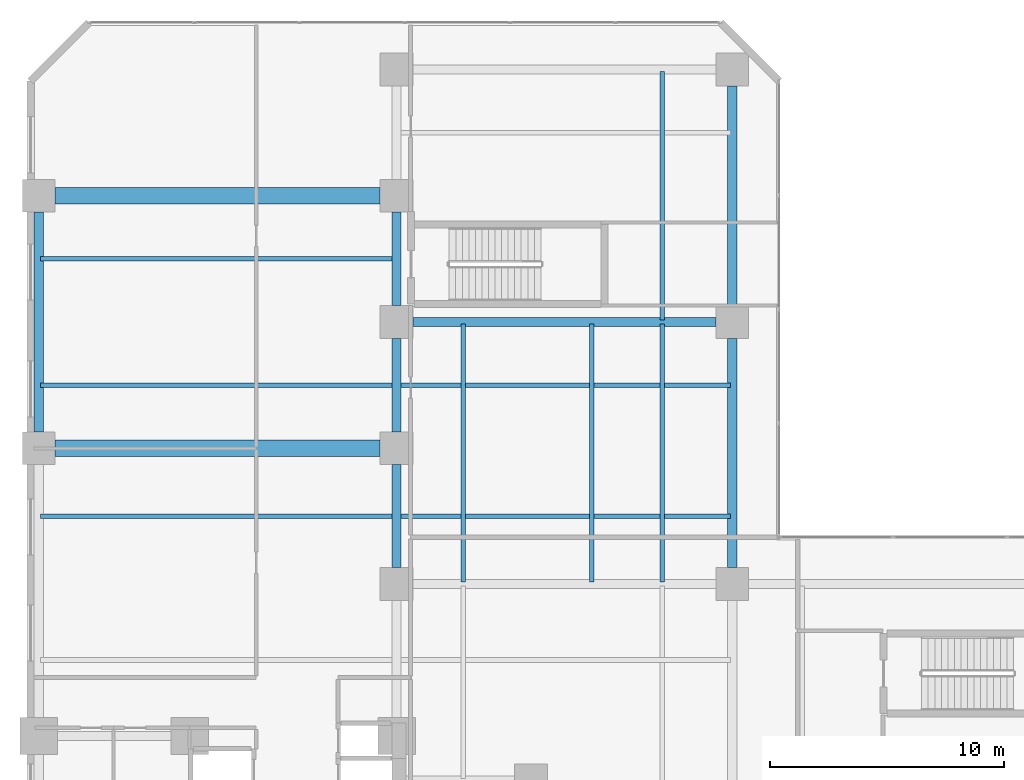
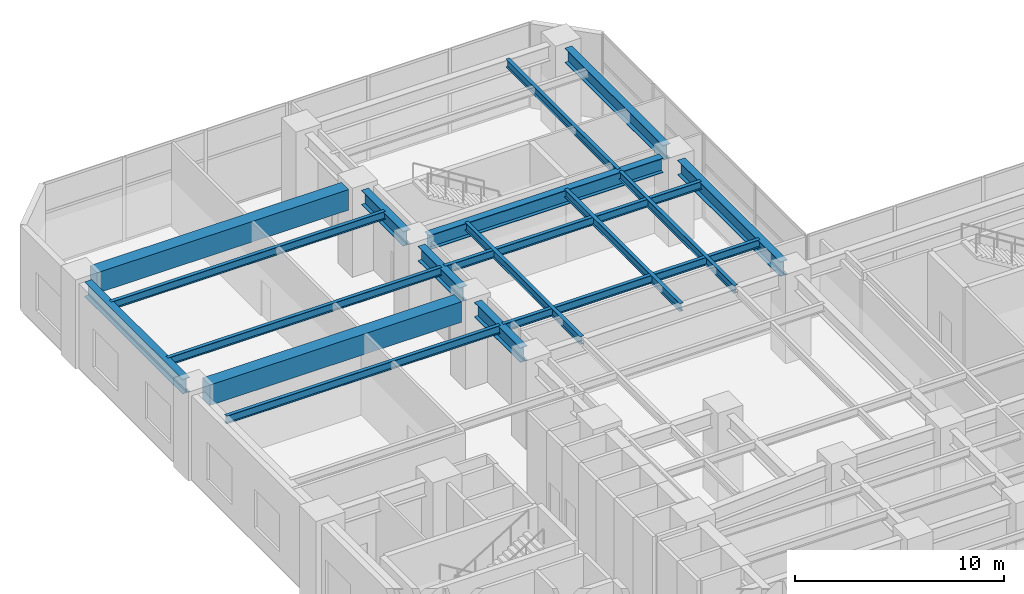
# One storey, part 5 of 22: 18 beams.
"""IFC4 building model written with IfcOpenShell, lengths in metres."""

from ifc_helpers import new_model, si_unit, direction, frame, origin, origin_2d, place, context, subcontext, project, spatial, rectangle, i_section, extrude, material, material_profile, profile_set, type_object, element, save


model = new_model("IFC4")

# Units and contexts
model_context = context("Model", 3, precision=1e-05, world=origin(), true_north=direction((0.0, 1.0)))
body_context = subcontext(model_context, "Body", "Model", "MODEL_VIEW")
ifc_project = project(units=[si_unit("LENGTHUNIT", "METRE"), si_unit("AREAUNIT", "SQUARE_METRE"), si_unit("VOLUMEUNIT", "CUBIC_METRE"), si_unit("PLANEANGLEUNIT", "RADIAN"), si_unit("MASSUNIT", "GRAM", prefix="KILO")], contexts=[model_context])

# Site, building, storey
site_placement = place(None, origin())
site = spatial("IfcSite", under=ifc_project, at=site_placement, CompositionType="ELEMENT")
building_placement = place(site_placement, origin())
building = spatial("IfcBuilding", under=site, at=building_placement, Name="Mawjaban Terraces University", CompositionType="ELEMENT")
storey_placement = place(building_placement, frame((0.0, 0.0, 5.199951171875)))
storey = spatial("IfcBuildingStorey", under=building, at=storey_placement, Name="L01", CompositionType="ELEMENT", Elevation=5.199951171875)

# Beams
ifc_material_1 = material(Name="Steel ASTM A572 Grade 50", Category="steel")
ifc_material_profile_1 = material_profile(ifc_material_1, i_section(OverallWidth=0.39990234375, OverallDepth=0.85498046875, WebThickness=0.018310546875, FlangeThickness=0.029296875, at=origin_2d()), Name="W840X299")
ifc_profile_set_1 = profile_set([ifc_material_profile_1], Name="Steel ASTM A572 Grade 50")
beam_type_1 = type_object("IfcBeamType", Name="Beam_B_W840X299", PredefinedType="BEAM", material=ifc_profile_set_1)
beam_1_placement = place(storey_placement, frame((38.35009765625, 41.199951171875, 4.491943359375), z_axis=(1.0, 0.0, 0.0), x_axis=(0.0, 1.0, 0.0)))
element("IfcBeam", 1, at=beam_1_placement, inside=storey, type_object=beam_type_1, Name="L01 Beam BM-L01-EW-16", PredefinedType="BEAM", context=body_context, shape_type="SweptSolid", body=[
    extrude(i_section(OverallWidth=0.39990234375, OverallDepth=0.85498046875, WebThickness=0.018310546875, FlangeThickness=0.029296875, at=origin_2d()), origin(), (0.0, 0.0, 1.0), 12.949951171875),
])
beam_2_placement = place(storey_placement, frame((22.35009765625, 36.5, 4.491943359375), z_axis=(0.0, 1.0, 0.0), x_axis=(-1.0, 0.0, 0.0)))
element("IfcBeam", 2, at=beam_2_placement, inside=storey, type_object=beam_type_1, Name="L01 Beam BM-L01-NS-04", PredefinedType="BEAM", context=body_context, shape_type="SweptSolid", body=[
    extrude(i_section(OverallWidth=0.39990234375, OverallDepth=0.85498046875, WebThickness=0.018310546875, FlangeThickness=0.029296875, at=origin_2d()), origin(), (0.0, 0.0, 1.0), 9.39990234375),
])
beam_3_placement = place(storey_placement, frame((37.64990234375, 30.699951171875, 4.491943359375), z_axis=(0.0, 1.0, 0.0), x_axis=(-1.0, 0.0, 0.0)))
element("IfcBeam", 3, at=beam_3_placement, inside=storey, type_object=beam_type_1, Name="L01 Beam BM-L01-NS-09", PredefinedType="BEAM", context=body_context, shape_type="SweptSolid", body=[
    extrude(i_section(OverallWidth=0.39990234375, OverallDepth=0.85498046875, WebThickness=0.018310546875, FlangeThickness=0.029296875, at=origin_2d()), origin(), (0.0, 0.0, 1.0), 4.400146484375),
])
for number, where, z_axis, x_axis, name in (
    (4, (37.64990234375, 36.5, 4.491943359375), (0.0, 1.0, 0.0), (-1.0, 0.0, 0.0), "L01 Beam BM-L01-NS-10"),
    (5, (37.64990234375, 41.89990234375, 4.491943359375), (0.0, 1.0, 0.0), (-1.0, 0.0, 0.0), "L01 Beam BM-L01-NS-11"),
):
    element("IfcBeam", number, at=place(storey_placement, frame(where, z_axis=z_axis, x_axis=x_axis)), inside=storey, type_object=beam_type_1, Name=name, PredefinedType="BEAM", context=body_context, shape_type="SweptSolid", body=[
        extrude(i_section(OverallWidth=0.39990234375, OverallDepth=0.85498046875, WebThickness=0.018310546875, FlangeThickness=0.029296875, at=origin_2d()), origin(), (0.0, 0.0, 1.0), 4.0),
    ])
beam_4_placement = place(storey_placement, frame((52.0, 30.699951171875, 4.491943359375), z_axis=(0.0, 1.0, 0.0), x_axis=(-1.0, 0.0, 0.0)))
element("IfcBeam", 6, at=beam_4_placement, inside=storey, type_object=beam_type_1, Name="L01 Beam BM-L01-NS-17", PredefinedType="BEAM", context=body_context, shape_type="SweptSolid", body=[
    extrude(i_section(OverallWidth=0.39990234375, OverallDepth=0.85498046875, WebThickness=0.018310546875, FlangeThickness=0.029296875, at=origin_2d()), origin(), (0.0, 0.0, 1.0), 9.800048828125),
])
beam_5_placement = place(storey_placement, frame((52.0, 41.89990234375, 4.491943359375), z_axis=(0.0, 1.0, 0.0), x_axis=(-1.0, 0.0, 0.0)))
element("IfcBeam", 7, at=beam_5_placement, inside=storey, type_object=beam_type_1, Name="L01 Beam BM-L01-NS-18", PredefinedType="BEAM", context=body_context, shape_type="SweptSolid", body=[
    extrude(i_section(OverallWidth=0.39990234375, OverallDepth=0.85498046875, WebThickness=0.018310546875, FlangeThickness=0.029296875, at=origin_2d()), origin(), (0.0, 0.0, 1.0), 9.400146484375),
])
ifc_material_profile_2 = material_profile(ifc_material_1, i_section(OverallWidth=0.194091796875, OverallDepth=0.468994140625, WebThickness=0.011474609375, FlangeThickness=0.0205078125, at=origin_2d()), Name="W460X106")
ifc_profile_set_2 = profile_set([ifc_material_profile_2], Name="Steel ASTM A572 Grade 50")
beam_type_2 = type_object("IfcBeamType", Name="Beam_J_W460X106", PredefinedType="JOIST", material=ifc_profile_set_2)
beam_6_placement = place(storey_placement, frame((22.429931640625, 32.89990234375, 4.68505859375), z_axis=(1.0, 0.0, 0.0), x_axis=(0.0, 1.0, 0.0)))
element("IfcBeam", 8, at=beam_6_placement, inside=storey, type_object=beam_type_2, Name="L01 Composite Joist JST-L01-20", PredefinedType="JOIST", context=body_context, shape_type="SweptSolid", body=[
    extrude(i_section(OverallWidth=0.194091796875, OverallDepth=0.468994140625, WebThickness=0.011474609375, FlangeThickness=0.0205078125, at=origin_2d()), origin(), (0.0, 0.0, 1.0), 15.14013671875),
])
beam_7_placement = place(storey_placement, frame((37.72998046875, 32.89990234375, 4.68505859375), z_axis=(1.0, 0.0, 0.0), x_axis=(0.0, 1.0, 0.0)))
element("IfcBeam", 9, at=beam_7_placement, inside=storey, type_object=beam_type_2, Name="L01 Composite Joist JST-L01-21", PredefinedType="JOIST", context=body_context, shape_type="SweptSolid", body=[
    extrude(i_section(OverallWidth=0.194091796875, OverallDepth=0.468994140625, WebThickness=0.011474609375, FlangeThickness=0.0205078125, at=origin_2d()), origin(), (0.0, 0.0, 1.0), 14.18994140625),
])
beam_8_placement = place(storey_placement, frame((22.429931640625, 38.5, 4.68505859375), z_axis=(1.0, 0.0, 0.0), x_axis=(0.0, 1.0, 0.0)))
element("IfcBeam", 10, at=beam_8_placement, inside=storey, type_object=beam_type_2, Name="L01 Composite Joist JST-L01-22", PredefinedType="JOIST", context=body_context, shape_type="SweptSolid", body=[
    extrude(i_section(OverallWidth=0.194091796875, OverallDepth=0.468994140625, WebThickness=0.011474609375, FlangeThickness=0.0205078125, at=origin_2d()), origin(), (0.0, 0.0, 1.0), 15.14013671875),
])
beam_9_placement = place(storey_placement, frame((37.72998046875, 38.5, 4.68505859375), z_axis=(1.0, 0.0, 0.0), x_axis=(0.0, 1.0, 0.0)))
element("IfcBeam", 11, at=beam_9_placement, inside=storey, type_object=beam_type_2, Name="L01 Composite Joist JST-L01-23", PredefinedType="JOIST", context=body_context, shape_type="SweptSolid", body=[
    extrude(i_section(OverallWidth=0.194091796875, OverallDepth=0.468994140625, WebThickness=0.011474609375, FlangeThickness=0.0205078125, at=origin_2d()), origin(), (0.0, 0.0, 1.0), 14.18994140625),
])
beam_10_placement = place(storey_placement, frame((22.429931640625, 43.89990234375, 4.68505859375), z_axis=(1.0, 0.0, 0.0), x_axis=(0.0, 1.0, 0.0)))
element("IfcBeam", 12, at=beam_10_placement, inside=storey, type_object=beam_type_2, Name="L01 Composite Joist JST-L01-24", PredefinedType="JOIST", context=body_context, shape_type="SweptSolid", body=[
    extrude(i_section(OverallWidth=0.194091796875, OverallDepth=0.468994140625, WebThickness=0.011474609375, FlangeThickness=0.0205078125, at=origin_2d()), origin(), (0.0, 0.0, 1.0), 15.14013671875),
])
for number, where, z_axis, x_axis, name in (
    (13, (40.5, 30.080078125, 4.68505859375), (0.0, 1.0, 0.0), (-1.0, 0.0, 0.0), "L01 Composite Joist JST-L01-NS-28"),
    (14, (46.0, 30.080078125, 4.68505859375), (0.0, 1.0, 0.0), (-1.0, 0.0, 0.0), "L01 Composite Joist JST-L01-NS-29"),
    (15, (49.0, 30.080078125, 4.68505859375), (0.0, 1.0, 0.0), (-1.0, 0.0, 0.0), "L01 Composite Joist JST-L01-NS-31"),
):
    element("IfcBeam", number, at=place(storey_placement, frame(where, z_axis=z_axis, x_axis=x_axis)), inside=storey, type_object=beam_type_2, Name=name, PredefinedType="JOIST", context=body_context, shape_type="SweptSolid", body=[
        extrude(i_section(OverallWidth=0.194091796875, OverallDepth=0.468994140625, WebThickness=0.011474609375, FlangeThickness=0.0205078125, at=origin_2d()), origin(), (0.0, 0.0, 1.0), 11.0400390625),
    ])
beam_11_placement = place(storey_placement, frame((49.0, 41.280029296875, 4.68505859375), z_axis=(0.0, 1.0, 0.0), x_axis=(-1.0, 0.0, 0.0)))
element("IfcBeam", 16, at=beam_11_placement, inside=storey, type_object=beam_type_2, Name="L01 Composite Joist JST-L01-NS-32", PredefinedType="JOIST", context=body_context, shape_type="SweptSolid", body=[
    extrude(i_section(OverallWidth=0.194091796875, OverallDepth=0.468994140625, WebThickness=0.011474609375, FlangeThickness=0.0205078125, at=origin_2d()), origin(), (0.0, 0.0, 1.0), 10.639892578125),
])
ifc_material_2 = material(Name="Concrete C50/60", Category="concrete")
ifc_material_profile_3 = material_profile(ifc_material_2, rectangle(XDim=0.699951171875, YDim=1.199951171875, at=origin_2d()), Name="RC1200X700")
ifc_profile_set_3 = profile_set([ifc_material_profile_3], Name="Concrete C50/60")
beam_type_3 = type_object("IfcBeamType", Name="PodiumLibraryTBeam_800", PredefinedType="T_BEAM", material=ifc_profile_set_3)
for number, where, z_axis, x_axis, name in (
    (17, (23.050048828125, 35.800048828125, 4.320068359375), (1.0, 0.0, 0.0), (0.0, 1.0, 0.0), "L01 Library Long-Span T-Beam 15"),
    (18, (23.050048828125, 46.60009765625, 4.320068359375), (1.0, 0.0, 0.0), (0.0, 1.0, 0.0), "L01 Library Long-Span T-Beam 17"),
):
    element("IfcBeam", number, at=place(storey_placement, frame(where, z_axis=z_axis, x_axis=x_axis)), inside=storey, type_object=beam_type_3, Name=name, PredefinedType="T_BEAM", context=body_context, shape_type="SweptSolid", body=[
        extrude(rectangle(XDim=0.699951171875, YDim=1.199951171875, at=origin_2d()), origin(), (0.0, 0.0, 1.0), 13.89990234375),
    ])

save(model, "model.ifc")
